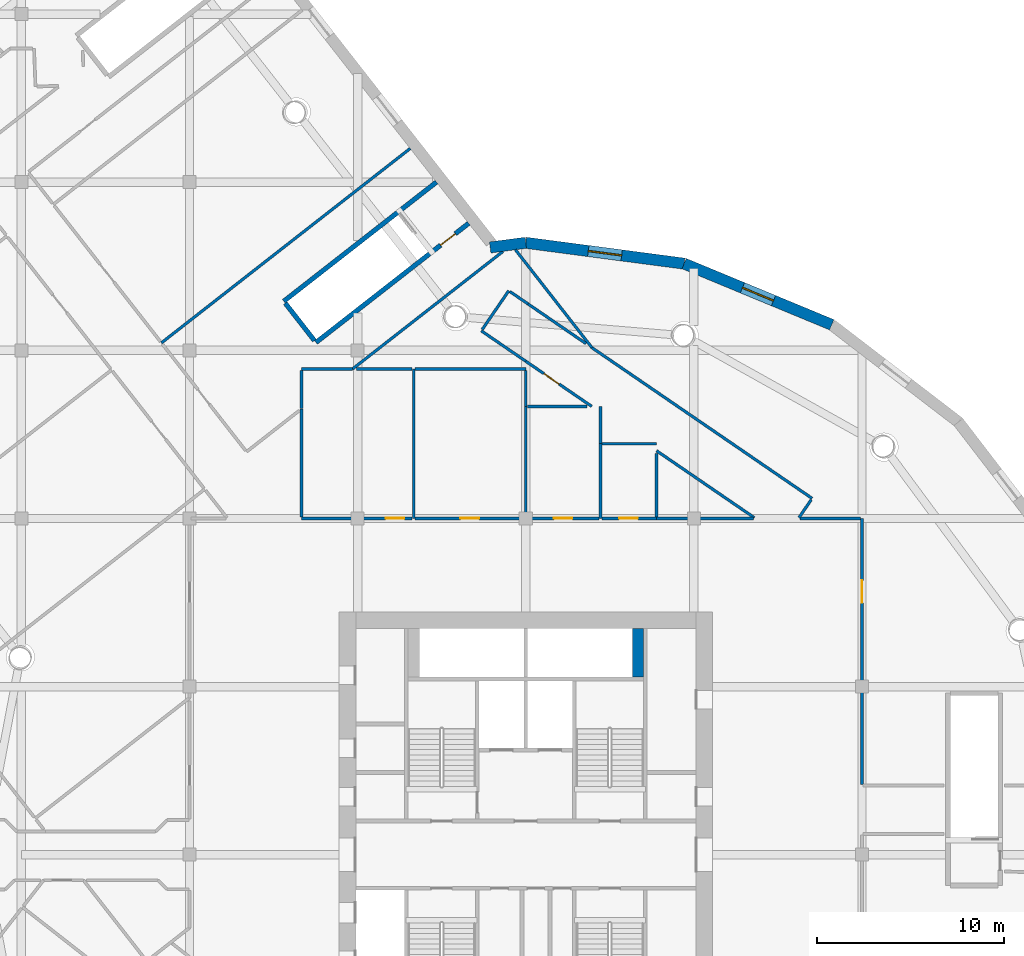
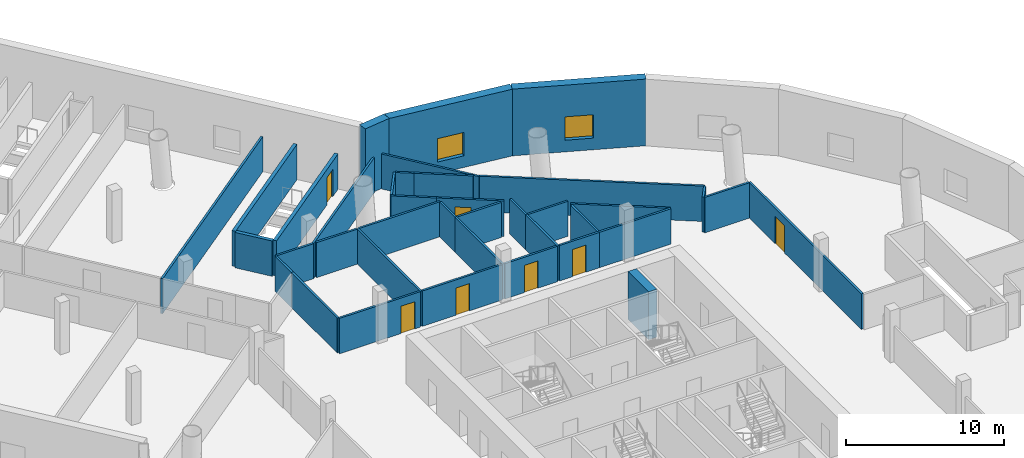
# One storey, part 10 of 15: 38 walls, 7 doors, 2 windows, 9 openings.
"""IFC4 building model written with IfcOpenShell, lengths in metres."""

from ifc_helpers import new_model, si_unit, direction, frame, frame_2d, origin, place, context, subcontext, project, spatial, rectangle, extrude, material, layer, layer_set, type_object, element, fill, save


model = new_model("IFC4")

# Units and contexts
model_context = context("Model", 3, precision=1e-05, world=origin(), true_north=direction((0.0, 1.0)))
body_context = subcontext(model_context, "Body", "Model", "MODEL_VIEW")
ifc_project = project(units=[si_unit("LENGTHUNIT", "METRE"), si_unit("AREAUNIT", "SQUARE_METRE"), si_unit("VOLUMEUNIT", "CUBIC_METRE"), si_unit("PLANEANGLEUNIT", "RADIAN"), si_unit("MASSUNIT", "GRAM", prefix="KILO")], contexts=[model_context])

# Site, building, storey
site_placement = place(None, origin())
site = spatial("IfcSite", under=ifc_project, at=site_placement, CompositionType="ELEMENT")
building_placement = place(site_placement, origin())
building = spatial("IfcBuilding", under=site, at=building_placement, Name="Tarsis Ring Headquarters", CompositionType="ELEMENT")
storey_placement = place(building_placement, frame((0.0, 0.0, 30.0)))
storey = spatial("IfcBuildingStorey", under=building, at=storey_placement, Name="L05", CompositionType="ELEMENT", Elevation=30.0)

# Walls
ifc_material_1 = material(Name="Plasterboard partition")
ifc_layer_1 = layer(ifc_material_1, 0.14990234375)
ifc_layer_set_1 = layer_set([ifc_layer_1], Name="PO-PW150")
wall_type_1 = type_object("IfcWallType", Name="PO-PW150", PredefinedType="PARTITIONING", material=ifc_layer_set_1)
wall_1_placement = place(storey_placement, frame((-6.186767578125, 37.805419921875, 0.0), z_axis=(0.0, 0.0, 1.0), x_axis=(-0.788007728406, -0.615665347386, 0.0)))
element("IfcWall", 1, at=wall_1_placement, inside=storey, type_object=wall_type_1, Name="L05 partition wall 5", PredefinedType="PARTITIONING", context=body_context, shape_type="SweptSolid", body=[
    extrude(rectangle(XDim=16.900146484375, YDim=0.14990234375, at=frame_2d((8.4501953125, 0.0))), origin(), (0.0, 0.0, 1.0), 2.699951171875),
])
wall_2_placement = place(storey_placement, frame((-1.220703125, 32.29443359375, 0.0), z_axis=(0.0, 0.0, 1.0), x_axis=(-0.788015685012, -0.615655163363, 0.0)))
element("IfcWall", 2, at=wall_2_placement, inside=storey, type_object=wall_type_1, Name="L05 partition wall 32", PredefinedType="PARTITIONING", context=body_context, shape_type="SweptSolid", body=[
    extrude(rectangle(XDim=10.223876953125, YDim=0.14990234375, at=frame_2d((5.11181640625, 0.0))), origin(), (0.0, 0.0, 1.0), 2.699951171875),
])
wall_3_placement = place(storey_placement, frame((-6.0, 18.0, 0.0), z_axis=(0.0, 0.0, 1.0), x_axis=(0.0, 1.0, 0.0)))
element("IfcWall", 3, at=wall_3_placement, inside=storey, type_object=wall_type_1, Name="L05 partition wall 46", PredefinedType="PARTITIONING", context=body_context, shape_type="SweptSolid", body=[
    extrude(rectangle(XDim=8.0, YDim=0.14990234375, at=frame_2d((4.0, 0.0))), origin(), (0.0, 0.0, 1.0), 2.699951171875),
])
wall_4_placement = place(storey_placement, frame((-0.552734375, 32.38232421875, 0.0), z_axis=(0.0, 0.0, 1.0), x_axis=(0.615655445332, -0.788015464717, 0.0)))
element("IfcWall", 4, at=wall_4_placement, inside=storey, type_object=wall_type_1, Name="L05 partition wall 52", PredefinedType="PARTITIONING", context=body_context, shape_type="SweptSolid", body=[
    extrude(rectangle(XDim=6.6474609375, YDim=0.14990234375, at=frame_2d((3.32373046875, 0.0))), origin(), (0.0, 0.0, 1.0), 2.699951171875),
])
wall_5_placement = place(storey_placement, frame((0.0, 18.0, 0.0), z_axis=(0.0, 0.0, 1.0), x_axis=(0.0, 1.0, 0.0)))
element("IfcWall", 5, at=wall_5_placement, inside=storey, type_object=wall_type_1, Name="L05 partition wall 61", PredefinedType="PARTITIONING", context=body_context, shape_type="SweptSolid", body=[
    extrude(rectangle(XDim=6.0, YDim=0.14990234375, at=frame_2d((3.0, 0.0))), origin(), (0.0, 0.0, 1.0), 2.699951171875),
])
wall_6_placement = place(storey_placement, frame((0.0, 26.0, 0.0), z_axis=(0.0, 0.0, 1.0), x_axis=(-1.0, 0.0, 0.0)))
element("IfcWall", 6, at=wall_6_placement, inside=storey, type_object=wall_type_1, Name="L05 partition wall 62", PredefinedType="PARTITIONING", context=body_context, shape_type="SweptSolid", body=[
    extrude(rectangle(XDim=5.919921875, YDim=0.14990234375, at=frame_2d((2.9599609375, 0.0))), origin(), (0.0, 0.0, 1.0), 2.699951171875),
])
wall_7_placement = place(storey_placement, frame((-12.0, 23.872802734375, 0.0), z_axis=(0.0, 0.0, 1.0), x_axis=(0.0, -1.0, 0.0)))
element("IfcWall", 7, at=wall_7_placement, inside=storey, type_object=wall_type_1, Name="L05 partition wall 64", PredefinedType="PARTITIONING", context=body_context, shape_type="SweptSolid", body=[
    extrude(rectangle(XDim=5.792724609375, YDim=0.14990234375, at=frame_2d((2.896484375, 0.0))), origin(), (0.0, 0.0, 1.0), 2.699951171875),
])
wall_8_placement = place(storey_placement, frame((4.0, 18.0, 0.0), z_axis=(0.0, 0.0, 1.0), x_axis=(0.0, 1.0, 0.0)))
element("IfcWall", 8, at=wall_8_placement, inside=storey, type_object=wall_type_1, Name="L05 partition wall 87", PredefinedType="PARTITIONING", context=body_context, shape_type="SweptSolid", body=[
    extrude(rectangle(XDim=4.0, YDim=0.14990234375, at=frame_2d((2.0, 0.0))), origin(), (0.0, 0.0, 1.0), 2.699951171875),
])
wall_9_placement = place(storey_placement, frame((7.0, 18.080078125, 0.0), z_axis=(0.0, 0.0, 1.0), x_axis=(0.0, 1.0, 0.0)))
element("IfcWall", 9, at=wall_9_placement, inside=storey, type_object=wall_type_1, Name="L05 partition wall 95", PredefinedType="PARTITIONING", context=body_context, shape_type="SweptSolid", body=[
    extrude(rectangle(XDim=3.393310546875, YDim=0.14990234375, at=frame_2d((1.69677734375, 0.0))), origin(), (0.0, 0.0, 1.0), 2.699951171875),
])
wall_10_placement = place(storey_placement, frame((3.2783203125, 24.0, 0.0), z_axis=(0.0, 0.0, 1.0), x_axis=(-1.0, 0.0, 0.0)))
element("IfcWall", 10, at=wall_10_placement, inside=storey, type_object=wall_type_1, Name="L05 partition wall 96", PredefinedType="PARTITIONING", context=body_context, shape_type="SweptSolid", body=[
    extrude(rectangle(XDim=3.1982421875, YDim=0.14990234375, at=frame_2d((1.59912109375, 0.0))), origin(), (0.0, 0.0, 1.0), 2.699951171875),
])
wall_11_placement = place(storey_placement, frame((-6.080078125, 26.0, 0.0), z_axis=(0.0, 0.0, 1.0), x_axis=(-1.0, 0.0, 0.0)))
element("IfcWall", 11, at=wall_11_placement, inside=storey, type_object=wall_type_1, Name="L05 partition wall 99", PredefinedType="PARTITIONING", context=body_context, shape_type="SweptSolid", body=[
    extrude(rectangle(XDim=2.977294921875, YDim=0.14990234375, at=frame_2d((1.48876953125, 0.0))), origin(), (0.0, 0.0, 1.0), 2.699951171875),
])
wall_12_placement = place(storey_placement, frame((7.0, 22.0, 0.0), z_axis=(0.0, 0.0, 1.0), x_axis=(-1.0, 0.0, 0.0)))
element("IfcWall", 12, at=wall_12_placement, inside=storey, type_object=wall_type_1, Name="L05 partition wall 102", PredefinedType="PARTITIONING", context=body_context, shape_type="SweptSolid", body=[
    extrude(rectangle(XDim=2.919921875, YDim=0.14990234375, at=frame_2d((1.4599609375, 0.0))), origin(), (0.0, 0.0, 1.0), 2.699951171875),
])
wall_13_placement = place(storey_placement, frame((-9.27734375, 26.0, 0.0), z_axis=(0.0, 0.0, 1.0), x_axis=(-1.0, 0.0, 0.0)))
element("IfcWall", 13, at=wall_13_placement, inside=storey, type_object=wall_type_1, Name="L05 partition wall 114", PredefinedType="PARTITIONING", context=body_context, shape_type="SweptSolid", body=[
    extrude(rectangle(XDim=2.72265625, YDim=0.14990234375, at=frame_2d((1.361328125, 0.0))), origin(), (0.0, 0.0, 1.0), 2.699951171875),
])
wall_14_placement = place(storey_placement, frame((-12.0, 25.919921875, 0.0), z_axis=(0.0, 0.0, 1.0), x_axis=(0.0, -1.0, 0.0)))
element("IfcWall", 14, at=wall_14_placement, inside=storey, type_object=wall_type_1, Name="L05 partition wall 136", PredefinedType="PARTITIONING", context=body_context, shape_type="SweptSolid", body=[
    extrude(rectangle(XDim=2.047119140625, YDim=0.14990234375, at=frame_2d((1.0234375, 0.0))), origin(), (0.0, 0.0, 1.0), 2.699951171875),
])
wall_15_placement = place(storey_placement, frame((0.0, 24.0, 0.0), z_axis=(0.0, 0.0, 1.0), x_axis=(0.0, 1.0, 0.0)))
element("IfcWall", 15, at=wall_15_placement, inside=storey, type_object=wall_type_1, Name="L05 partition wall 141", PredefinedType="PARTITIONING", context=body_context, shape_type="SweptSolid", body=[
    extrude(rectangle(XDim=1.919921875, YDim=0.14990234375, at=frame_2d((0.9599609375, 0.0))), origin(), (0.0, 0.0, 1.0), 2.699951171875),
])
wall_16_placement = place(storey_placement, frame((4.0, 22.0, 0.0), z_axis=(0.0, 0.0, 1.0), x_axis=(0.0, 1.0, 0.0)))
element("IfcWall", 16, at=wall_16_placement, inside=storey, type_object=wall_type_1, Name="L05 partition wall 142", PredefinedType="PARTITIONING", context=body_context, shape_type="SweptSolid", body=[
    extrude(rectangle(XDim=2.0, YDim=0.14990234375, at=frame_2d((1.0, 0.0))), origin(), (0.0, 0.0, 1.0), 2.699951171875),
])
ifc_layer_2 = layer(ifc_material_1, 0.14990234375)
ifc_layer_set_2 = layer_set([ifc_layer_2], Name="PO-PW150R-2733")
wall_type_2 = type_object("IfcWallType", Name="PO-PW150R-2733", PredefinedType="PARTITIONING", material=ifc_layer_set_2)
wall_17_placement = place(storey_placement, frame((3.5400390625, 27.142822265625, 0.0), z_axis=(0.0, 0.0, 1.0), x_axis=(0.825181074161, -0.564868298674, 0.0)))
element("IfcWall", 17, at=wall_17_placement, inside=storey, type_object=wall_type_2, Name="L05 partition wall 15", PredefinedType="PARTITIONING", context=body_context, shape_type="SweptSolid", body=[
    extrude(rectangle(XDim=14.28662109375, YDim=0.14990234375, at=frame_2d((7.143310546875, 0.0))), origin(), (0.0, 0.0, 1.0), 2.73291015625),
])

# Wall, opening, door
wall_18_placement = place(storey_placement, frame((18.0, 18.0, 0.0), z_axis=(0.0, 0.0, 1.0), x_axis=(0.0, -1.0, 0.0)))
wall_18 = element("IfcWall", 18, at=wall_18_placement, inside=storey, type_object=wall_type_2, Name="L05 partition wall 16", PredefinedType="PARTITIONING", context=body_context, shape_type="SweptSolid", body=[
    extrude(rectangle(XDim=14.22998046875, YDim=0.14990234375, at=frame_2d((7.114990234375, 0.0))), origin(), (0.0, 0.0, 1.0), 2.73291015625),
])
opening_1_placement = place(wall_18_placement, frame((3.320068359375, 0.0, 0.0)))
opening_1 = element("IfcOpeningElement", 19, at=opening_1_placement, cuts=wall_18, Name="Opening PO-D2", PredefinedType="OPENING", context=body_context, shape_type="SweptSolid", body=[
    extrude(rectangle(XDim=1.199951171875, YDim=2.10009765625, at=frame_2d((0.60009765625, 1.050048828125))), frame((0.0, 0.0849609375, 0.0), z_axis=(0.0, -1.0, 0.0), x_axis=(1.0, 0.0, 0.0)), (0.0, 0.0, 1.0), 0.169921875),
])
ifc_material_2 = material(Name="Timber door", Category="wood")
door_type_1 = type_object("IfcDoorType", Name="PO-D1200", OperationType="NOTDEFINED", PredefinedType="DOOR", material=ifc_material_2)
door_1_placement = place(opening_1_placement, origin())
door_1 = element("IfcDoor", 20, at=door_1_placement, inside=storey, type_object=door_type_1, Name="Chiller room door", OperationType="SINGLE_SWING_RIGHT", OverallHeight=2.10009765625, OverallWidth=1.199951171875, PredefinedType="DOOR", context=body_context, shape_type="SweptSolid", body=[
    extrude(rectangle(XDim=1.199951171875, YDim=2.10009765625, at=frame_2d((0.60009765625, 1.050048828125))), frame((0.0, 0.02490234375, 0.0), z_axis=(0.0, -1.0, 0.0), x_axis=(1.0, 0.0, 0.0)), (0.0, 0.0, 1.0), 0.050048828125),
])
fill(opening_1, door_1)

# Wall
wall_19_placement = place(storey_placement, frame((12.23486328125, 18.0400390625, 0.0), z_axis=(0.0, 0.0, 1.0), x_axis=(-0.825178862339, 0.564871529774, 0.0)))
element("IfcWall", 21, at=wall_19_placement, inside=storey, type_object=wall_type_2, Name="L05 partition wall 57", PredefinedType="PARTITIONING", context=body_context, shape_type="SweptSolid", body=[
    extrude(rectangle(XDim=6.343994140625, YDim=0.14990234375, at=frame_2d((3.171875, 0.0))), origin(), (0.0, 0.0, 1.0), 2.73291015625),
])

# Wall, opening, door
wall_20_placement = place(storey_placement, frame((-12.0, 18.0, 0.0), z_axis=(0.0, 0.0, 1.0), x_axis=(1.0, 0.0, 0.0)))
wall_20 = element("IfcWall", 22, at=wall_20_placement, inside=storey, type_object=wall_type_2, Name="L05 partition wall 59", PredefinedType="PARTITIONING", context=body_context, shape_type="SweptSolid", body=[
    extrude(rectangle(XDim=5.919921875, YDim=0.14990234375, at=frame_2d((2.9599609375, 0.0))), origin(), (0.0, 0.0, 1.0), 2.73291015625),
])
opening_2_placement = place(wall_20_placement, frame((4.5, 0.0, 0.0)))
opening_2 = element("IfcOpeningElement", 23, at=opening_2_placement, cuts=wall_20, Name="Opening PO-D1", PredefinedType="OPENING", context=body_context, shape_type="SweptSolid", body=[
    extrude(rectangle(XDim=1.0, YDim=2.10009765625, at=frame_2d((0.5, 1.050048828125))), frame((0.0, 0.0849609375, 0.0), z_axis=(0.0, -1.0, 0.0), x_axis=(1.0, 0.0, 0.0)), (0.0, 0.0, 1.0), 0.169921875),
])
door_type_2 = type_object("IfcDoorType", Name="PO-D1000", OperationType="NOTDEFINED", PredefinedType="DOOR", material=ifc_material_2)
door_2_placement = place(opening_2_placement, origin())
door_2 = element("IfcDoor", 24, at=door_2_placement, inside=storey, type_object=door_type_2, Name="Male WC door", OperationType="SINGLE_SWING_RIGHT", OverallHeight=2.10009765625, OverallWidth=1.0, PredefinedType="DOOR", context=body_context, shape_type="SweptSolid", body=[
    extrude(rectangle(XDim=1.0, YDim=2.10009765625, at=frame_2d((0.5, 1.050048828125))), frame((0.0, 0.02490234375, 0.0), z_axis=(0.0, -1.0, 0.0), x_axis=(1.0, 0.0, 0.0)), (0.0, 0.0, 1.0), 0.050048828125),
])
fill(opening_2, door_2)

wall_21_placement = place(storey_placement, frame((-5.919921875, 18.0, 0.0), z_axis=(0.0, 0.0, 1.0), x_axis=(1.0, 0.0, 0.0)))
wall_21 = element("IfcWall", 25, at=wall_21_placement, inside=storey, type_object=wall_type_2, Name="L05 partition wall 60", PredefinedType="PARTITIONING", context=body_context, shape_type="SweptSolid", body=[
    extrude(rectangle(XDim=5.83984375, YDim=0.14990234375, at=frame_2d((2.919921875, 0.0))), origin(), (0.0, 0.0, 1.0), 2.73291015625),
])
opening_3_placement = place(wall_21_placement, frame((2.419921875, 0.0, 0.0)))
opening_3 = element("IfcOpeningElement", 26, at=opening_3_placement, cuts=wall_21, Name="Opening PO-D1", PredefinedType="OPENING", context=body_context, shape_type="SweptSolid", body=[
    extrude(rectangle(XDim=1.0, YDim=2.10009765625, at=frame_2d((0.5, 1.050048828125))), frame((0.0, 0.0849609375, 0.0), z_axis=(0.0, -1.0, 0.0), x_axis=(1.0, 0.0, 0.0)), (0.0, 0.0, 1.0), 0.169921875),
])
door_3_placement = place(opening_3_placement, origin())
door_3 = element("IfcDoor", 27, at=door_3_placement, inside=storey, type_object=door_type_2, Name="Female WC door", OperationType="SINGLE_SWING_LEFT", OverallHeight=2.10009765625, OverallWidth=1.0, PredefinedType="DOOR", context=body_context, shape_type="SweptSolid", body=[
    extrude(rectangle(XDim=1.0, YDim=2.10009765625, at=frame_2d((0.5, 1.050048828125))), frame((0.0, 0.02490234375, 0.0), z_axis=(0.0, -1.0, 0.0), x_axis=(1.0, 0.0, 0.0)), (0.0, 0.0, 1.0), 0.050048828125),
])
fill(opening_3, door_3)

# Wall
wall_22_placement = place(storey_placement, frame((7.0, 18.0, 0.0), z_axis=(0.0, 0.0, 1.0), x_axis=(1.0, 0.0, 0.0)))
element("IfcWall", 28, at=wall_22_placement, inside=storey, type_object=wall_type_2, Name="L05 partition wall 71", PredefinedType="PARTITIONING", context=body_context, shape_type="SweptSolid", body=[
    extrude(rectangle(XDim=5.18701171875, YDim=0.14990234375, at=frame_2d((2.593505859375, 0.0))), origin(), (0.0, 0.0, 1.0), 2.73291015625),
])

# Wall, opening, door
wall_23_placement = place(storey_placement, frame((3.5283203125, 24.0, 0.0), z_axis=(0.0, 0.0, 1.0), x_axis=(-0.825179793262, 0.564870169855, 0.0)))
wall_23 = element("IfcWall", 29, at=wall_23_placement, inside=storey, type_object=wall_type_2, Name="L05 partition wall 82", PredefinedType="PARTITIONING", context=body_context, shape_type="SweptSolid", body=[
    extrude(rectangle(XDim=4.27587890625, YDim=0.14990234375, at=frame_2d((2.137939453125, 0.0))), origin(), (0.0, 0.0, 1.0), 2.73291015625),
])
opening_4_placement = place(wall_23_placement, frame((2.1083984375, 0.0, 0.0)))
opening_4 = element("IfcOpeningElement", 30, at=opening_4_placement, cuts=wall_23, Name="Opening PO-D1", PredefinedType="OPENING", context=body_context, shape_type="SweptSolid", body=[
    extrude(rectangle(XDim=1.0, YDim=2.10009765625, at=frame_2d((0.5, 1.050048828125))), frame((0.0, 0.0849609375, 0.0), z_axis=(0.0, -1.0, 0.0), x_axis=(1.0, 0.0, 0.0)), (0.0, 0.0, 1.0), 0.169921875),
])
door_4_placement = place(opening_4_placement, origin())
door_4 = element("IfcDoor", 31, at=door_4_placement, inside=storey, type_object=door_type_2, Name="Meeting room door", OperationType="SINGLE_SWING_RIGHT", OverallHeight=2.10009765625, OverallWidth=1.0, PredefinedType="DOOR", context=body_context, shape_type="SweptSolid", body=[
    extrude(rectangle(XDim=1.0, YDim=2.10009765625, at=frame_2d((0.5, 1.050048828125))), frame((0.0, 0.02490234375, 0.0), z_axis=(0.0, -1.0, 0.0), x_axis=(1.0, 0.0, 0.0)), (0.0, 0.0, 1.0), 0.050048828125),
])
fill(opening_4, door_4)

wall_24_placement = place(storey_placement, frame((0.080078125, 18.0, 0.0), z_axis=(0.0, 0.0, 1.0), x_axis=(1.0, 0.0, 0.0)))
wall_24 = element("IfcWall", 32, at=wall_24_placement, inside=storey, type_object=wall_type_2, Name="L05 partition wall 86", PredefinedType="PARTITIONING", context=body_context, shape_type="SweptSolid", body=[
    extrude(rectangle(XDim=3.83984375, YDim=0.14990234375, at=frame_2d((1.919921875, 0.0))), origin(), (0.0, 0.0, 1.0), 2.73291015625),
])
opening_5_placement = place(wall_24_placement, frame((1.419921875, 0.0, 0.0)))
opening_5 = element("IfcOpeningElement", 33, at=opening_5_placement, cuts=wall_24, Name="Opening PO-D1", PredefinedType="OPENING", context=body_context, shape_type="SweptSolid", body=[
    extrude(rectangle(XDim=1.0, YDim=2.10009765625, at=frame_2d((0.5, 1.050048828125))), frame((0.0, 0.0849609375, 0.0), z_axis=(0.0, -1.0, 0.0), x_axis=(1.0, 0.0, 0.0)), (0.0, 0.0, 1.0), 0.169921875),
])
door_5_placement = place(opening_5_placement, origin())
door_5 = element("IfcDoor", 34, at=door_5_placement, inside=storey, type_object=door_type_2, Name="Accessible WC door", OperationType="SINGLE_SWING_RIGHT", OverallHeight=2.10009765625, OverallWidth=1.0, PredefinedType="DOOR", context=body_context, shape_type="SweptSolid", body=[
    extrude(rectangle(XDim=1.0, YDim=2.10009765625, at=frame_2d((0.5, 1.050048828125))), frame((0.0, 0.02490234375, 0.0), z_axis=(0.0, -1.0, 0.0), x_axis=(1.0, 0.0, 0.0)), (0.0, 0.0, 1.0), 0.050048828125),
])
fill(opening_5, door_5)

# Walls
wall_25_placement = place(storey_placement, frame((0.120361328125, 29.483642578125, 0.0), z_axis=(0.0, 0.0, 1.0), x_axis=(0.825186042166, -0.564861041155, 0.0)))
element("IfcWall", 35, at=wall_25_placement, inside=storey, type_object=wall_type_2, Name="L05 partition wall 93", PredefinedType="PARTITIONING", context=body_context, shape_type="SweptSolid", body=[
    extrude(rectangle(XDim=3.755126953125, YDim=0.14990234375, at=frame_2d((1.87744140625, 0.0))), origin(), (0.0, 0.0, 1.0), 2.73291015625),
])
wall_26_placement = place(storey_placement, frame((14.66748046875, 18.0, 0.0), z_axis=(0.0, 0.0, 1.0), x_axis=(1.0, 0.0, 0.0)))
element("IfcWall", 36, at=wall_26_placement, inside=storey, type_object=wall_type_2, Name="L05 partition wall 98", PredefinedType="PARTITIONING", context=body_context, shape_type="SweptSolid", body=[
    extrude(rectangle(XDim=3.25244140625, YDim=0.14990234375, at=frame_2d((1.626220703125, 0.0))), origin(), (0.0, 0.0, 1.0), 2.73291015625),
])

# Wall, opening, door
wall_27_placement = place(storey_placement, frame((4.080078125, 18.0, 0.0), z_axis=(0.0, 0.0, 1.0), x_axis=(1.0, 0.0, 0.0)))
wall_27 = element("IfcWall", 37, at=wall_27_placement, inside=storey, type_object=wall_type_2, Name="L05 partition wall 101", PredefinedType="PARTITIONING", context=body_context, shape_type="SweptSolid", body=[
    extrude(rectangle(XDim=2.919921875, YDim=0.14990234375, at=frame_2d((1.4599609375, 0.0))), origin(), (0.0, 0.0, 1.0), 2.73291015625),
])
opening_6_placement = place(wall_27_placement, frame((0.919921875, 0.0, 0.0)))
opening_6 = element("IfcOpeningElement", 38, at=opening_6_placement, cuts=wall_27, Name="Opening PO-D1", PredefinedType="OPENING", context=body_context, shape_type="SweptSolid", body=[
    extrude(rectangle(XDim=1.0, YDim=2.10009765625, at=frame_2d((0.5, 1.050048828125))), frame((0.0, 0.0849609375, 0.0), z_axis=(0.0, -1.0, 0.0), x_axis=(1.0, 0.0, 0.0)), (0.0, 0.0, 1.0), 0.169921875),
])
door_6_placement = place(opening_6_placement, origin())
door_6 = element("IfcDoor", 39, at=door_6_placement, inside=storey, type_object=door_type_2, Name="Cleaners' store door", OperationType="SINGLE_SWING_LEFT", OverallHeight=2.10009765625, OverallWidth=1.0, PredefinedType="DOOR", context=body_context, shape_type="SweptSolid", body=[
    extrude(rectangle(XDim=1.0, YDim=2.10009765625, at=frame_2d((0.5, 1.050048828125))), frame((0.0, 0.02490234375, 0.0), z_axis=(0.0, -1.0, 0.0), x_axis=(1.0, 0.0, 0.0)), (0.0, 0.0, 1.0), 0.050048828125),
])
fill(opening_6, door_6)

# Walls
wall_28_placement = place(storey_placement, frame((0.0, 26.415283203125, 0.0), z_axis=(0.0, 0.0, 1.0), x_axis=(-0.825188877727, 0.564856898758, 0.0)))
element("IfcWall", 40, at=wall_28_placement, inside=storey, type_object=wall_type_2, Name="L05 partition wall 106", PredefinedType="PARTITIONING", context=body_context, shape_type="SweptSolid", body=[
    extrude(rectangle(XDim=2.8837890625, YDim=0.14990234375, at=frame_2d((1.44189453125, 0.0))), origin(), (0.0, 0.0, 1.0), 2.73291015625),
])
wall_29_placement = place(storey_placement, frame((-2.33447265625, 28.110107421875, 0.0), z_axis=(0.0, 0.0, 1.0), x_axis=(0.564874907636, 0.825176550033, 0.0)))
element("IfcWall", 41, at=wall_29_placement, inside=storey, type_object=wall_type_2, Name="L05 partition wall 116", PredefinedType="PARTITIONING", context=body_context, shape_type="SweptSolid", body=[
    extrude(rectangle(XDim=2.520263671875, YDim=0.14990234375, at=frame_2d((1.26025390625, 0.0))), origin(), (0.0, 0.0, 1.0), 2.73291015625),
])
wall_30_placement = place(storey_placement, frame((15.283935546875, 19.0068359375, 0.0), z_axis=(0.0, 0.0, 1.0), x_axis=(-0.564900525935, -0.825159012432, 0.0)))
element("IfcWall", 42, at=wall_30_placement, inside=storey, type_object=wall_type_2, Name="L05 partition wall 160", PredefinedType="PARTITIONING", context=body_context, shape_type="SweptSolid", body=[
    extrude(rectangle(XDim=1.171630859375, YDim=0.14990234375, at=frame_2d((0.5859375, 0.0))), origin(), (0.0, 0.0, 1.0), 2.73291015625),
])
wall_31_placement = place(storey_placement, frame((-0.844970703125, 30.14453125, 0.0), z_axis=(0.0, 0.0, 1.0), x_axis=(0.825148547766, -0.564915811533, 0.0)))
element("IfcWall", 43, at=wall_31_placement, inside=storey, type_object=wall_type_2, Name="L05 partition wall 161", PredefinedType="PARTITIONING", context=body_context, shape_type="SweptSolid", body=[
    extrude(rectangle(XDim=1.169921875, YDim=0.14990234375, at=frame_2d((0.5849609375, 0.0))), origin(), (0.0, 0.0, 1.0), 2.73291015625),
])

# Wall, opening, door
ifc_material_3 = material(Name="Concrete C40/50", Category="concrete")
ifc_layer_3 = layer(ifc_material_3, 0.25)
ifc_layer_set_3 = layer_set([ifc_layer_3], Name="PO-W250")
wall_type_3 = type_object("IfcWallType", Name="PO-W250", PredefinedType="SOLIDWALL", material=ifc_layer_set_3)
wall_32_placement = place(storey_placement, frame((-3.0576171875, 33.80029296875, 0.0), z_axis=(0.0, 0.0, 1.0), x_axis=(-0.788273447376, -0.615325094696, 0.0)))
wall_32 = element("IfcWall", 44, at=wall_32_placement, inside=storey, type_object=wall_type_3, Name="L05 shaft wall 25", PredefinedType="SOLIDWALL", context=body_context, shape_type="SweptSolid", body=[
    extrude(rectangle(XDim=10.369873046875, YDim=0.25, at=frame_2d((5.18505859375, 0.0))), origin(), (0.0, 0.0, 1.0), 2.72998046875),
])
opening_7_placement = place(wall_32_placement, frame((0.90478515625, 0.0, 0.0)))
opening_7 = element("IfcOpeningElement", 45, at=opening_7_placement, cuts=wall_32, Name="Opening PO-D3", PredefinedType="OPENING", context=body_context, shape_type="SweptSolid", body=[
    extrude(rectangle(XDim=1.0, YDim=2.10009765625, at=frame_2d((0.5, 1.050048828125))), frame((0.0, 0.135009765625, 0.0), z_axis=(0.0, -1.0, 0.0), x_axis=(1.0, 0.0, 0.0)), (0.0, 0.0, 1.0), 0.27001953125),
])
ifc_material_4 = material(Name="Steel fire door", Category="steel")
door_type_3 = type_object("IfcDoorType", Name="PO-D1000F", OperationType="SINGLE_SWING_LEFT", PredefinedType="DOOR", material=ifc_material_4)
door_7_placement = place(opening_7_placement, origin())
door_7 = element("IfcDoor", 46, at=door_7_placement, inside=storey, type_object=door_type_3, Name="Exit stair 3 door", OperationType="SINGLE_SWING_LEFT", OverallHeight=2.10009765625, OverallWidth=1.0, PredefinedType="DOOR", context=body_context, shape_type="SweptSolid", body=[
    extrude(rectangle(XDim=1.0, YDim=2.10009765625, at=frame_2d((0.5, 1.050048828125))), frame((0.0, 0.02490234375, 0.0), z_axis=(0.0, -1.0, 0.0), x_axis=(1.0, 0.0, 0.0)), (0.0, 0.0, 1.0), 0.050048828125),
])
fill(opening_7, door_7)

# Walls
wall_33_placement = place(storey_placement, frame((-12.954833984375, 29.626708984375, 0.0), z_axis=(0.0, 0.0, 1.0), x_axis=(0.788283470415, 0.615312254283, 0.0)))
element("IfcWall", 47, at=wall_33_placement, inside=storey, type_object=wall_type_3, Name="L05 shaft wall 27", PredefinedType="SOLIDWALL", context=body_context, shape_type="SweptSolid", body=[
    extrude(rectangle(XDim=10.368408203125, YDim=0.25, at=frame_2d((5.18408203125, 0.0))), origin(), (0.0, 0.0, 1.0), 2.72998046875),
])
wall_34_placement = place(storey_placement, frame((-11.31201171875, 27.52197265625, 0.0), z_axis=(0.0, 0.0, 1.0), x_axis=(-0.615343695919, 0.788258926935, 0.0)))
element("IfcWall", 48, at=wall_34_placement, inside=storey, type_object=wall_type_3, Name="L05 shaft wall 110", PredefinedType="SOLIDWALL", context=body_context, shape_type="SweptSolid", body=[
    extrude(rectangle(XDim=2.5400390625, YDim=0.25, at=frame_2d((1.27001953125, 0.0))), origin(), (0.0, 0.0, 1.0), 2.72998046875),
])

# Wall, opening, window
ifc_material_5 = material(Name="Concrete C60/75", Category="concrete")
ifc_layer_4 = layer(ifc_material_5, 0.60009765625)
ifc_layer_set_4 = layer_set([ifc_layer_4], Name="PO-W600P")
wall_type_4 = type_object("IfcWallType", Name="PO-W600P", PredefinedType="SOLIDWALL", material=ifc_layer_set_4)
wall_35_placement = place(storey_placement, frame((16.37890625, 28.369140625, 0.0), z_axis=(0.0, 0.0, 1.0), x_axis=(-0.923883217595, 0.382674535665, 0.0)))
wall_35 = element("IfcWall", 49, at=wall_35_placement, inside=storey, type_object=wall_type_4, Name="L05 external wall 20", PredefinedType="SOLIDWALL", context=body_context, shape_type="SweptSolid", body=[
    extrude(rectangle(XDim=8.551513671875, YDim=0.60009765625, at=frame_2d((4.27587890625, 0.0))), origin(), (0.0, 0.0, 1.0), 5.14990234375),
])
opening_8_placement = place(wall_35_placement, frame((3.375732421875, 0.0, 0.89990234375)))
opening_8 = element("IfcOpeningElement", 50, at=opening_8_placement, cuts=wall_35, Name="Opening PO-WN147", PredefinedType="OPENING", context=body_context, shape_type="SweptSolid", body=[
    extrude(rectangle(XDim=1.800048828125, YDim=1.802978515625, at=frame_2d((0.89990234375, 0.9013671875))), frame((0.0, 0.31005859375, 0.0), z_axis=(0.0, -1.0, 0.0), x_axis=(1.0, 0.0, 0.0)), (0.0, 0.0, 1.0), 0.6201171875),
])
ifc_material_6 = material(Name="Double glazing", Category="glass")
window_type = type_object("IfcWindowType", Name="PO-WN1800-1803", PartitioningType="SINGLE_PANEL", PredefinedType="WINDOW", material=ifc_material_6)
window_1_placement = place(opening_8_placement, origin())
window_1 = element("IfcWindow", 51, at=window_1_placement, inside=storey, type_object=window_type, Name="L05 window 20.1", OverallHeight=1.802978515625, OverallWidth=1.800048828125, PartitioningType="SINGLE_PANEL", PredefinedType="WINDOW", context=body_context, shape_type="SweptSolid", body=[
    extrude(rectangle(XDim=1.800048828125, YDim=1.802978515625, at=frame_2d((0.89990234375, 0.9013671875))), frame((0.0, 0.030029296875, 0.0), z_axis=(0.0, -1.0, 0.0), x_axis=(1.0, 0.0, 0.0)), (0.0, 0.0, 1.0), 0.06005859375),
])
fill(opening_8, window_1)

wall_36_placement = place(storey_placement, frame((8.478271484375, 31.6416015625, 0.0), z_axis=(0.0, 0.0, 1.0), x_axis=(-0.991444478179, 0.130529102837, 0.0)))
wall_36 = element("IfcWall", 52, at=wall_36_placement, inside=storey, type_object=wall_type_4, Name="L05 external wall 21", PredefinedType="SOLIDWALL", context=body_context, shape_type="SweptSolid", body=[
    extrude(rectangle(XDim=8.551513671875, YDim=0.60009765625, at=frame_2d((4.27587890625, 0.0))), origin(), (0.0, 0.0, 1.0), 5.14990234375),
])
opening_9_placement = place(wall_36_placement, frame((3.375732421875, 0.0, 0.89990234375)))
opening_9 = element("IfcOpeningElement", 53, at=opening_9_placement, cuts=wall_36, Name="Opening PO-WN147", PredefinedType="OPENING", context=body_context, shape_type="SweptSolid", body=[
    extrude(rectangle(XDim=1.800048828125, YDim=1.802978515625, at=frame_2d((0.89990234375, 0.9013671875))), frame((0.0, 0.31005859375, 0.0), z_axis=(0.0, -1.0, 0.0), x_axis=(1.0, 0.0, 0.0)), (0.0, 0.0, 1.0), 0.6201171875),
])
window_2_placement = place(opening_9_placement, origin())
window_2 = element("IfcWindow", 54, at=window_2_placement, inside=storey, type_object=window_type, Name="L05 window 21.1", OverallHeight=1.802978515625, OverallWidth=1.800048828125, PartitioningType="SINGLE_PANEL", PredefinedType="WINDOW", context=body_context, shape_type="SweptSolid", body=[
    extrude(rectangle(XDim=1.800048828125, YDim=1.802978515625, at=frame_2d((0.89990234375, 0.9013671875))), frame((0.0, 0.030029296875, 0.0), z_axis=(0.0, -1.0, 0.0), x_axis=(1.0, 0.0, 0.0)), (0.0, 0.0, 1.0), 0.06005859375),
])
fill(opening_9, window_2)

# Walls
wall_37_placement = place(storey_placement, frame((0.0, 32.7578125, 0.0), z_axis=(0.0, 0.0, 1.0), x_axis=(-0.991450406844, -0.130484063274, 0.0)))
element("IfcWall", 55, at=wall_37_placement, inside=storey, type_object=wall_type_4, Name="L05 external wall 22", PredefinedType="SOLIDWALL", context=body_context, shape_type="SweptSolid", body=[
    extrude(rectangle(XDim=1.92333984375, YDim=0.60009765625, at=frame_2d((0.961669921875, 0.0))), origin(), (0.0, 0.0, 1.0), 5.14990234375),
])
ifc_material_7 = material(Name="Concrete C32/40", Category="concrete")
ifc_layer_5 = layer(ifc_material_7, 0.60009765625)
ifc_layer_set_5 = layer_set([ifc_layer_5], Name="Shaft end wall 600 C32/40")
wall_type_5 = type_object("IfcWallType", Name="Shaft end wall 600 C32/40", PredefinedType="SOLIDWALL", material=ifc_layer_set_5)
wall_38_placement = place(storey_placement, frame((6.0, 9.5, 0.0), z_axis=(0.0, 0.0, 1.0), x_axis=(0.0, 1.0, 0.0)))
element("IfcWall", 56, at=wall_38_placement, inside=storey, type_object=wall_type_5, Name="Core shaft wall NNE2", PredefinedType="SOLIDWALL", context=body_context, shape_type="SweptSolid", body=[
    extrude(rectangle(XDim=2.60009765625, YDim=0.60009765625, at=frame_2d((1.300048828125, 0.0))), origin(), (0.0, 0.0, 1.0), 3.699951171875),
])

save(model, "model.ifc")
